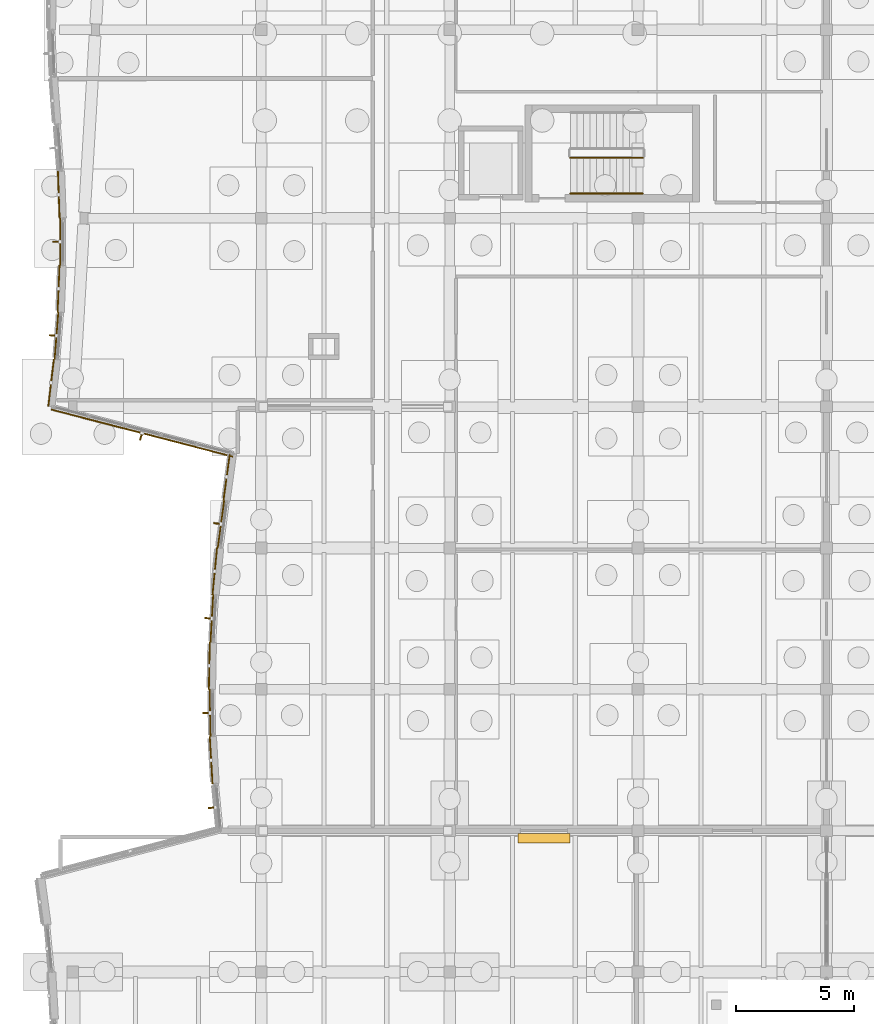
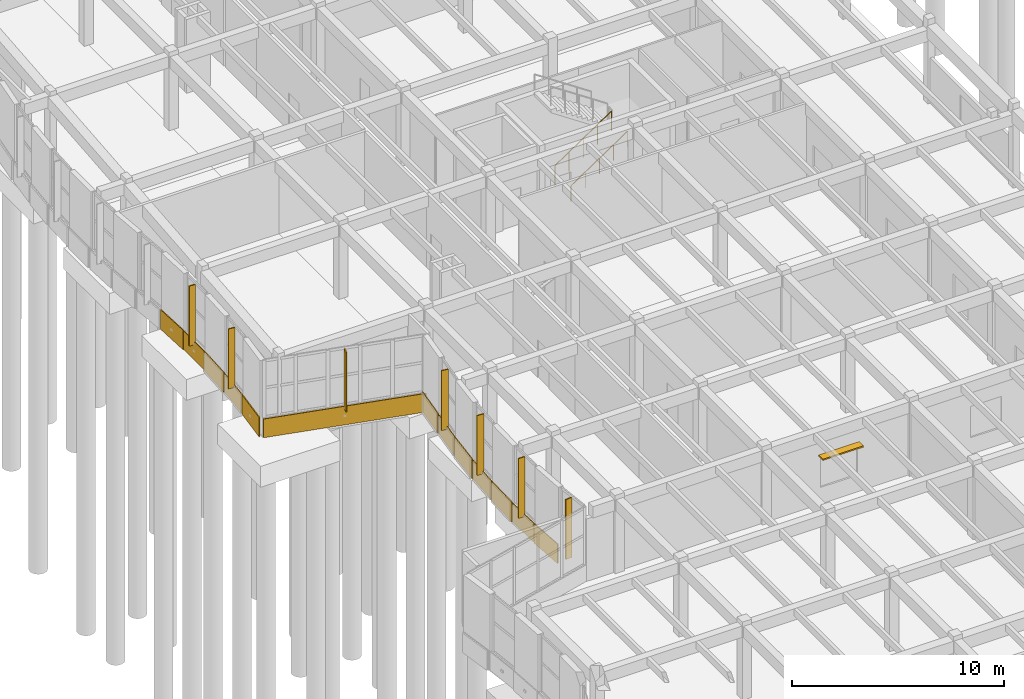
# One storey, part 87 of 99: 13 coverings, 8 shading devices, 2 railings.
"""IFC4 building model written with IfcOpenShell, lengths in metres."""

from ifc_helpers import new_model, si_unit, direction, frame, origin, origin_2d, place, context, subcontext, project, spatial, polyline, rectangle, circle, outline, extrude, material, layer, layer_set, type_object, element, save


model = new_model("IFC4")

# Units and contexts
model_context = context("Model", 3, precision=1e-05, world=origin(), true_north=direction((0.0, 1.0)))
body_context = subcontext(model_context, "Body", "Model", "MODEL_VIEW")
ifc_project = project(units=[si_unit("LENGTHUNIT", "METRE"), si_unit("AREAUNIT", "SQUARE_METRE"), si_unit("VOLUMEUNIT", "CUBIC_METRE"), si_unit("PLANEANGLEUNIT", "RADIAN"), si_unit("MASSUNIT", "GRAM", prefix="KILO")], contexts=[model_context])

# Site, building, storey
site_placement = place(None, origin())
site = spatial("IfcSite", under=ifc_project, at=site_placement, CompositionType="ELEMENT")
building_placement = place(site_placement, origin())
building = spatial("IfcBuilding", under=site, at=building_placement, Name="Tonlespit Floodbar School", CompositionType="ELEMENT")
storey_placement = place(building_placement, origin())
storey = spatial("IfcBuildingStorey", under=building, at=storey_placement, Name="L00", CompositionType="ELEMENT", Elevation=0.0)

# Coverings
ifc_material_1 = material(Name="White Architectural Aluminium", Category="aluminium")
ifc_layer_1 = layer(ifc_material_1, 0.050048828125)
ifc_layer_set_1 = layer_set([ifc_layer_1], Name="White Architectural Aluminium")
covering_type = type_object("IfcCoveringType", Name="Cladding_WhiteBand_50", PredefinedType="CLADDING", material=ifc_layer_set_1)
covering_1_placement = place(storey_placement, frame((0.0, 0.0, -0.1201171875)))
element("IfcCovering", 1, at=covering_1_placement, inside=storey, type_object=covering_type, Name="L00 curved white spandrel cladding 0486", PredefinedType="CLADDING", context=body_context, shape_type="SweptSolid", body=[
    extrude(outline(polyline([(9.955078125, 39.992431640625), (9.839599609375, 41.992431640625), (9.789794921875, 41.989501953125), (9.9052734375, 39.989501953125), (9.955078125, 39.992431640625)])), origin(), (0.0, 0.0, 1.0), 1.1201171875),
])
covering_2_placement = place(storey_placement, frame((0.0, 0.0, -0.1201171875)))
element("IfcCovering", 2, at=covering_2_placement, inside=storey, type_object=covering_type, Name="L00 curved white spandrel cladding 0487", PredefinedType="CLADDING", context=body_context, shape_type="SweptSolid", body=[
    extrude(outline(polyline([(9.869384765625, 41.998046875), (9.830810546875, 43.998046875), (9.781005859375, 43.9970703125), (9.8193359375, 41.9970703125), (9.869384765625, 41.998046875)])), origin(), (0.0, 0.0, 1.0), 1.070068359375),
])
covering_3_placement = place(storey_placement, frame((0.0, 0.0, -0.1201171875)))
element("IfcCovering", 3, at=covering_3_placement, inside=storey, type_object=covering_type, Name="L00 curved white spandrel cladding 0488", PredefinedType="CLADDING", context=body_context, shape_type="SweptSolid", body=[
    extrude(outline(polyline([(9.80078125, 44.00244140625), (9.83935546875, 46.00244140625), (9.789306640625, 46.00341796875), (9.7509765625, 44.00341796875), (9.80078125, 44.00244140625)])), origin(), (0.0, 0.0, 1.0), 1.1201171875),
])
covering_4_placement = place(storey_placement, frame((0.0, 0.0, -0.1201171875)))
element("IfcCovering", 4, at=covering_4_placement, inside=storey, type_object=covering_type, Name="L00 curved white spandrel cladding 0489", PredefinedType="CLADDING", context=body_context, shape_type="SweptSolid", body=[
    extrude(outline(polyline([(9.86962890625, 46.005859375), (9.985107421875, 48.005859375), (9.935302734375, 48.0087890625), (9.819580078125, 46.0087890625), (9.86962890625, 46.005859375)])), origin(), (0.0, 0.0, 1.0), 1.070068359375),
])
covering_5_placement = place(storey_placement, frame((0.0, 0.0, -0.1201171875)))
element("IfcCovering", 5, at=covering_5_placement, inside=storey, type_object=covering_type, Name="L00 curved white spandrel cladding 0490", PredefinedType="CLADDING", context=body_context, shape_type="SweptSolid", body=[
    extrude(outline(polyline([(9.95556640625, 48.012451171875), (10.148681640625, 50.012451171875), (10.09912109375, 50.017333984375), (9.90576171875, 48.017333984375), (9.95556640625, 48.012451171875)])), origin(), (0.0, 0.0, 1.0), 1.1201171875),
])
covering_6_placement = place(storey_placement, frame((0.0, 0.0, -0.1201171875)))
element("IfcCovering", 6, at=covering_6_placement, inside=storey, type_object=covering_type, Name="L00 curved white spandrel cladding 0491", PredefinedType="CLADDING", context=body_context, shape_type="SweptSolid", body=[
    extrude(outline(polyline([(10.17919921875, 50.013427734375), (10.450927734375, 52.013427734375), (10.4013671875, 52.020263671875), (10.129638671875, 50.020263671875), (10.17919921875, 50.013427734375)])), origin(), (0.0, 0.0, 1.0), 1.070068359375),
])
covering_7_placement = place(storey_placement, frame((0.0, 0.0, -0.1201171875)))
element("IfcCovering", 7, at=covering_7_placement, inside=storey, type_object=covering_type, Name="L00 curved white spandrel cladding 0492", PredefinedType="CLADDING", context=body_context, shape_type="SweptSolid", body=[
    extrude(outline(polyline([(10.421142578125, 52.017578125), (10.693115234375, 54.017578125), (10.6435546875, 54.024169921875), (10.37158203125, 52.024169921875), (10.421142578125, 52.017578125)])), origin(), (0.0, 0.0, 1.0), 1.1201171875),
])
covering_8_placement = place(storey_placement, frame((0.0, 0.0, -0.1201171875)))
element("IfcCovering", 8, at=covering_8_placement, inside=storey, type_object=covering_type, Name="L00 curved white spandrel cladding 0493", PredefinedType="CLADDING", context=body_context, shape_type="SweptSolid", body=[
    extrude(outline(polyline([(10.796630859375, 53.9033203125), (3.08984375, 55.9033203125), (3.077392578125, 55.854736328125), (10.7841796875, 53.854736328125), (10.796630859375, 53.9033203125)])), origin(), (0.0, 0.0, 1.0), 1.070068359375),
])
covering_9_placement = place(storey_placement, frame((0.0, 0.0, -0.1201171875)))
element("IfcCovering", 9, at=covering_9_placement, inside=storey, type_object=covering_type, Name="L00 curved white spandrel cladding 0494", PredefinedType="CLADDING", context=body_context, shape_type="SweptSolid", body=[
    extrude(outline(polyline([(2.98583984375, 56.01513671875), (3.221435546875, 58.01513671875), (3.171875, 58.02099609375), (2.936279296875, 56.02099609375), (2.98583984375, 56.01513671875)])), origin(), (0.0, 0.0, 1.0), 1.1201171875),
])
covering_10_placement = place(storey_placement, frame((0.0, 0.0, -0.1201171875)))
element("IfcCovering", 10, at=covering_10_placement, inside=storey, type_object=covering_type, Name="L00 curved white spandrel cladding 0495", PredefinedType="CLADDING", context=body_context, shape_type="SweptSolid", body=[
    extrude(outline(polyline([(3.2509765625, 58.0078125), (3.409423828125, 60.0078125), (3.359619140625, 60.011962890625), (3.201171875, 58.011962890625), (3.2509765625, 58.0078125)])), origin(), (0.0, 0.0, 1.0), 1.070068359375),
])
covering_11_placement = place(storey_placement, frame((0.0, 0.0, -0.1201171875)))
element("IfcCovering", 11, at=covering_11_placement, inside=storey, type_object=covering_type, Name="L00 curved white spandrel cladding 0496", PredefinedType="CLADDING", context=body_context, shape_type="SweptSolid", body=[
    extrude(outline(polyline([(3.379150390625, 60.00537109375), (3.460693359375, 62.00537109375), (3.41064453125, 62.00732421875), (3.3291015625, 60.00732421875), (3.379150390625, 60.00537109375)])), origin(), (0.0, 0.0, 1.0), 1.1201171875),
])
covering_12_placement = place(storey_placement, frame((0.0, 0.0, -0.1201171875)))
element("IfcCovering", 12, at=covering_12_placement, inside=storey, type_object=covering_type, Name="L00 curved white spandrel cladding 0497", PredefinedType="CLADDING", context=body_context, shape_type="SweptSolid", body=[
    extrude(outline(polyline([(3.490478515625, 62.000244140625), (3.4951171875, 64.000244140625), (3.445068359375, 64.000244140625), (3.440673828125, 62.000244140625), (3.490478515625, 62.000244140625)])), origin(), (0.0, 0.0, 1.0), 1.070068359375),
])
covering_13_placement = place(storey_placement, frame((0.0, 0.0, -0.1201171875)))
element("IfcCovering", 13, at=covering_13_placement, inside=storey, type_object=covering_type, Name="L00 curved white spandrel cladding 0498", PredefinedType="CLADDING", context=body_context, shape_type="SweptSolid", body=[
    extrude(outline(polyline([(3.465087890625, 63.9951171875), (3.391845703125, 65.9951171875), (3.341796875, 65.993408203125), (3.4150390625, 63.993408203125), (3.465087890625, 63.9951171875)])), origin(), (0.0, 0.0, 1.0), 1.1201171875),
])

# Railings
ifc_material_2 = material(Name="Galvanised Steel", Category="steel")
railing_type_1 = type_object("IfcRailingType", Name="Guard_Int_1150", PredefinedType="BALUSTRADE", material=ifc_material_2)
railing_1_placement = place(storey_placement, frame((25.1201171875, 66.570068359375, 0.1875)))
element("IfcRailing", 14, at=railing_1_placement, inside=storey, type_object=railing_type_1, Name="L00 ST-C3 stair guard 1", PredefinedType="BALUSTRADE", context=body_context, shape_type="SweptSolid", body=[
    extrude(circle(Radius=0.02392578125, at=origin_2d()), frame((0.0, 0.0, 1.1259765625), z_axis=(0.830893310487, 0.0, 0.556431762742), x_axis=(0.0, 1.0, 0.0)), (0.0, 0.0, 1.0), 3.70654296875),
    extrude(circle(Radius=0.02099609375, at=origin_2d()), origin(), (0.0, 0.0, 1.0), 1.101806640625),
    extrude(circle(Radius=0.02099609375, at=origin_2d()), frame((0.77001953125, 0.0, 0.515625)), (0.0, 0.0, 1.0), 1.101806640625),
    extrude(circle(Radius=0.02099609375, at=origin_2d()), frame((1.5400390625, 0.0, 1.03125)), (0.0, 0.0, 1.0), 1.101806640625),
    extrude(circle(Radius=0.02099609375, at=origin_2d()), frame((2.309814453125, 0.0, 1.546875)), (0.0, 0.0, 1.0), 1.101806640625),
    extrude(circle(Radius=0.02099609375, at=origin_2d()), frame((3.079833984375, 0.0, 2.0625)), (0.0, 0.0, 1.0), 1.101806640625),
])
railing_type_2 = type_object("IfcRailingType", Name="Handrail_Int_920", PredefinedType="HANDRAIL", material=ifc_material_2)
railing_2_placement = place(storey_placement, frame((25.1201171875, 65.050048828125, 0.1875)))
element("IfcRailing", 15, at=railing_2_placement, inside=storey, type_object=railing_type_2, Name="L00 ST-C3 stair handrail 1", PredefinedType="HANDRAIL", context=body_context, shape_type="SweptSolid", body=[
    extrude(circle(Radius=0.02392578125, at=origin_2d()), frame((0.0, 0.0, 0.89599609375), z_axis=(0.830893310487, 0.0, 0.556431762742), x_axis=(0.0, 1.0, 0.0)), (0.0, 0.0, 1.0), 3.70654296875),
    extrude(circle(Radius=0.02099609375, at=origin_2d()), origin(), (0.0, 0.0, 1.0), 0.871826171875),
    extrude(circle(Radius=0.02099609375, at=origin_2d()), frame((0.77001953125, 0.0, 0.515625)), (0.0, 0.0, 1.0), 0.871826171875),
    extrude(circle(Radius=0.02099609375, at=origin_2d()), frame((1.5400390625, 0.0, 1.03125)), (0.0, 0.0, 1.0), 0.871826171875),
    extrude(circle(Radius=0.02099609375, at=origin_2d()), frame((2.309814453125, 0.0, 1.546875)), (0.0, 0.0, 1.0), 0.871826171875),
    extrude(circle(Radius=0.02099609375, at=origin_2d()), frame((3.079833984375, 0.0, 2.0625)), (0.0, 0.0, 1.0), 0.871826171875),
])

# Shading devices
ifc_material_3 = material(Name="Anodised Aluminium", Category="aluminium")
ifc_layer_2 = layer(ifc_material_3, 0.080078125)
ifc_layer_set_2 = layer_set([ifc_layer_2], Name="Anodised Aluminium")
shading_device_type_1 = type_object("IfcShadingDeviceType", Name="Shading_MonsoonJalousie_400", PredefinedType="JALOUSIE", material=ifc_layer_set_2)
shading_device_placement = place(storey_placement, frame((24.0, 37.681884765625, 2.77001953125), z_axis=(0.0, 0.0, 1.0), x_axis=(-1.0, 0.0, 0.0)))
element("IfcShadingDevice", 16, at=shading_device_placement, inside=storey, type_object=shading_device_type_1, Name="L00 monsoon jalousie 131", PredefinedType="JALOUSIE", context=body_context, shape_type="SweptSolid", body=[
    extrude(rectangle(XDim=2.199951171875, YDim=0.39990234375, at=origin_2d()), origin(), (0.0, 0.0, 1.0), 0.080078125),
])
ifc_material_4 = material(Name="Terracotta Anodised Aluminium", Category="masonry")
ifc_layer_3 = layer(ifc_material_4, 0.06005859375)
ifc_layer_set_3 = layer_set([ifc_layer_3], Name="Terracotta Anodised Aluminium")
shading_device_type_2 = type_object("IfcShadingDeviceType", Name="Shading_SolarFin_350", PredefinedType="USERDEFINED", material=ifc_layer_set_3)
for number, where, z_axis, x_axis, name in (
    (17, (9.9228515625, 38.97509765625, 0.800048828125), (0.0, 0.0, 1.0), (-0.096153248998, 0.995366541887, 0.0), "L00 vertical solar fin 113"),
    (18, (9.690185546875, 42.9951171875, 0.800048828125), (0.0, 0.0, 1.0), (-0.01924630259, 0.999814772764, 0.0), "L00 vertical solar fin 114"),
    (19, (9.767578125, 47.014892578125, 0.800048828125), (0.0, 0.0, 1.0), (0.057703421212, 0.998333769428, 0.0), "L00 vertical solar fin 115"),
    (20, (10.156494140625, 51.034912109375, 0.800048828125), (0.0, 0.0, 1.0), (0.134662424626, 0.990891533617, 0.0), "L00 vertical solar fin 116"),
    (21, (6.903076171875, 54.748291015625, 0.800048828125), (0.0, 0.0, 1.0), (-0.967937542799, 0.251190989567, 0.0), "L00 vertical solar fin 117"),
    (22, (3.170654296875, 59.0205078125, 0.800048828125), (0.0, 0.0, 1.0), (0.079001948152, 0.996874461599, 0.0), "L00 vertical solar fin 118"),
    (23, (3.332763671875, 63.00048828125, 0.800048828125), (0.0, 0.0, 1.0), (0.00220085841, 0.999997578108, 0.0), "L00 vertical solar fin 119"),
):
    element("IfcShadingDevice", number, at=place(storey_placement, frame(where, z_axis=z_axis, x_axis=x_axis)), inside=storey, type_object=shading_device_type_2, Name=name, ObjectType="SOLAR FIN", PredefinedType="USERDEFINED", context=body_context, shape_type="SweptSolid", body=[
        extrude(rectangle(XDim=0.06005859375, YDim=0.35009765625, at=origin_2d()), origin(), (0.0, 0.0, 1.0), 3.43994140625),
    ])

save(model, "model.ifc")
